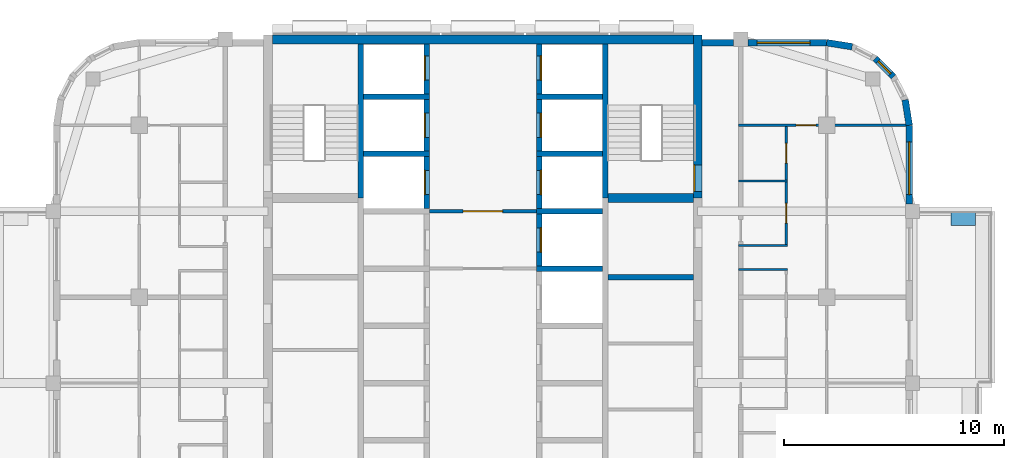
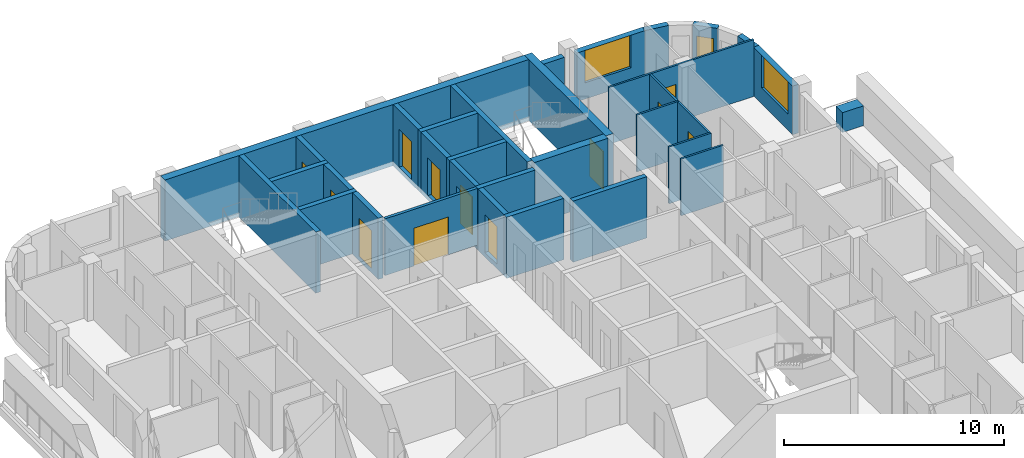
# One storey, part 8 of 13: 32 walls, 12 doors, 3 windows, 15 openings.
"""IFC4 building model written with IfcOpenShell, lengths in metres."""

from ifc_helpers import new_model, si_unit, direction, frame, frame_2d, origin, place, context, subcontext, project, spatial, rectangle, extrude, material, layer, layer_set, type_object, element, fill, save


model = new_model("IFC4")

# Units and contexts
model_context = context("Model", 3, precision=1e-05, world=origin(), true_north=direction((0.0, 1.0)))
body_context = subcontext(model_context, "Body", "Model", "MODEL_VIEW")
ifc_project = project(units=[si_unit("LENGTHUNIT", "METRE"), si_unit("AREAUNIT", "SQUARE_METRE"), si_unit("VOLUMEUNIT", "CUBIC_METRE"), si_unit("PLANEANGLEUNIT", "RADIAN"), si_unit("MASSUNIT", "GRAM", prefix="KILO")], contexts=[model_context])

# Site, building, storey
site_placement = place(None, origin())
site = spatial("IfcSite", under=ifc_project, at=site_placement, CompositionType="ELEMENT")
building_placement = place(site_placement, origin())
building = spatial("IfcBuilding", under=site, at=building_placement, Name="Ludao Terraces", CompositionType="ELEMENT")
storey_placement = place(building_placement, frame((0.0, 0.0, 249.39990234375)))
storey = spatial("IfcBuildingStorey", under=building, at=storey_placement, Name="L68", CompositionType="ELEMENT", Elevation=249.39990234375)

# Wall, opening, door
ifc_material_1 = material(Name="Concrete C50", Category="concrete")
ifc_layer_1 = layer(ifc_material_1, 0.39990234375)
ifc_layer_set_1 = layer_set([ifc_layer_1], Name="Core wall 400 C50")
wall_type_1 = type_object("IfcWallType", Name="Core wall 400 C50", PredefinedType="SOLIDWALL", material=ifc_layer_set_1)
wall_1_placement = place(storey_placement, frame((94.75, 77.300048828125, -0.25), z_axis=(0.0, 0.0, 1.0), x_axis=(0.0, 1.0, 0.0)))
wall_1 = element("IfcWall", 1, at=wall_1_placement, inside=storey, type_object=wall_type_1, Name="Core wall L68 outer-E-S2", PredefinedType="SOLIDWALL", context=body_context, shape_type="SweptSolid", body=[
    extrude(rectangle(XDim=7.39990234375, YDim=0.39990234375, at=frame_2d((3.699951171875, 0.0))), origin(), (0.0, 0.0, 1.0), 3.400146484375),
])
opening_1_placement = place(wall_1_placement, frame((0.300048828125, 0.0, 0.25)))
opening_1 = element("IfcOpeningElement", 2, at=opening_1_placement, cuts=wall_1, Name="Opening R24-078", PredefinedType="OPENING", context=body_context, shape_type="SweptSolid", body=[
    extrude(rectangle(XDim=1.199951171875, YDim=2.10009765625, at=frame_2d((0.60009765625, 1.050048828125))), frame((0.0, 0.2099609375, 0.0), z_axis=(0.0, -1.0, 0.0), x_axis=(1.0, 0.0, 0.0)), (0.0, 0.0, 1.0), 0.419921875),
])
ifc_material_2 = material(Name="Steel Q235", Category="steel")
door_type_1 = type_object("IfcDoorType", Name="INT Stair door 1200", OperationType="DOUBLE_DOOR_SINGLE_SWING", PredefinedType="DOOR", material=ifc_material_2)
door_1_placement = place(opening_1_placement, origin())
door_1 = element("IfcDoor", 3, at=door_1_placement, inside=storey, type_object=door_type_1, Name="DOOR 078", OperationType="DOUBLE_DOOR_SINGLE_SWING", OverallHeight=2.10009765625, OverallWidth=1.199951171875, PredefinedType="DOOR", context=body_context, shape_type="SweptSolid", body=[
    extrude(rectangle(XDim=1.199951171875, YDim=2.10009765625, at=frame_2d((0.60009765625, 1.050048828125))), frame((0.0, 0.18505859375, 0.0), z_axis=(0.0, -1.0, 0.0), x_axis=(1.0, 0.0, 0.0)), (0.0, 0.0, 1.0), 0.050048828125),
])
fill(opening_1, door_1)

# Walls
wall_2_placement = place(storey_placement, frame((75.449951171875, 84.5, -0.25), z_axis=(0.0, 0.0, 1.0), x_axis=(1.0, 0.0, 0.0)))
element("IfcWall", 4, at=wall_2_placement, inside=storey, type_object=wall_type_1, Name="Core wall L68 outer-N", PredefinedType="SOLIDWALL", context=body_context, shape_type="SweptSolid", body=[
    extrude(rectangle(XDim=19.10009765625, YDim=0.39990234375, at=frame_2d((9.550048828125, 0.0))), origin(), (0.0, 0.0, 1.0), 3.400146484375),
])
ifc_material_3 = material(Name="Concrete C40", Category="concrete")
ifc_layer_2 = layer(ifc_material_3, 0.60009765625)
ifc_layer_set_2 = layer_set([ifc_layer_2], Name="ENV Planter trough 600")
wall_type_2 = type_object("IfcWallType", Name="ENV Planter trough 600", PredefinedType="USERDEFINED", material=ifc_layer_set_2)
wall_3_placement = place(storey_placement, frame((107.35009765625, 76.35009765625, 0.0), z_axis=(0.0, 0.0, 1.0), x_axis=(-1.0, 0.0, 0.0)))
element("IfcWall", 5, at=wall_3_placement, inside=storey, type_object=wall_type_2, Name="PL-L68-E3-SB", ObjectType="PLANTER", PredefinedType="USERDEFINED", context=body_context, shape_type="SweptSolid", body=[
    extrude(rectangle(XDim=1.10009765625, YDim=0.60009765625, at=frame_2d((0.550048828125, 0.0))), origin(), (0.0, 0.0, 1.0), 1.10009765625),
])

# Wall, opening, window
ifc_material_4 = material(Name="Granite cladding", Category="masonry")
ifc_layer_3 = layer(ifc_material_4, 0.0400390625, Category="stone")
ifc_material_5 = material(Name="Mineral wool")
ifc_layer_4 = layer(ifc_material_5, 0.06005859375)
ifc_layer_5 = layer(ifc_material_3, 0.199951171875, Category="concrete")
ifc_layer_set_3 = layer_set([ifc_layer_3, ifc_layer_4, ifc_layer_5], Name="ENV Stone-clad wall 300")
wall_type_3 = type_object("IfcWallType", Name="ENV Stone-clad wall 300", PredefinedType="SOLIDWALL", material=ifc_layer_set_3)
wall_4_placement = place(storey_placement, frame((104.35009765625, 77.02490234375, 0.0), z_axis=(0.0, 0.0, 1.0), x_axis=(0.0, 1.0, 0.0)))
wall_4 = element("IfcWall", 6, at=wall_4_placement, inside=storey, type_object=wall_type_3, Name="EW-L68-E5", PredefinedType="SOLIDWALL", context=body_context, shape_type="SweptSolid", body=[
    extrude(rectangle(XDim=3.5751953125, YDim=0.300048828125, at=frame_2d((1.78759765625, 0.0))), origin(), (0.0, 0.0, 1.0), 2.7001953125),
])
opening_2_placement = place(wall_4_placement, frame((0.425048828125, 0.0, 0.89990234375)))
opening_2 = element("IfcOpeningElement", 7, at=opening_2_placement, cuts=wall_4, Name="Opening W1", PredefinedType="OPENING", context=body_context, shape_type="SweptSolid", body=[
    extrude(rectangle(XDim=2.39990234375, YDim=1.800048828125, at=frame_2d((1.199951171875, 0.89990234375))), frame((0.0, 0.16015625, 0.0), z_axis=(0.0, -1.0, 0.0), x_axis=(1.0, 0.0, 0.0)), (0.0, 0.0, 1.0), 0.320068359375),
])
ifc_material_6 = material(Name="Clear glass in aluminium frame", Category="aluminium")
ifc_layer_6 = layer(ifc_material_6, 0.06005859375)
ifc_layer_set_4 = layer_set([ifc_layer_6], Name="ENV Window W1 2400x1800")
window_type_1 = type_object("IfcWindowType", Name="ENV Window W1 2400x1800", PartitioningType="DOUBLE_PANEL_VERTICAL", PredefinedType="WINDOW", material=ifc_layer_set_4)
window_1_placement = place(opening_2_placement, origin())
window_1 = element("IfcWindow", 8, at=window_1_placement, inside=storey, type_object=window_type_1, Name="W-L68-E5-1", OverallHeight=1.800048828125, OverallWidth=2.39990234375, PartitioningType="DOUBLE_PANEL_VERTICAL", PredefinedType="WINDOW", context=body_context, shape_type="SweptSolid", body=[
    extrude(rectangle(XDim=2.39990234375, YDim=1.800048828125, at=frame_2d((1.199951171875, 0.89990234375))), frame((0.0, 0.030029296875, 0.0), z_axis=(0.0, -1.0, 0.0), x_axis=(1.0, 0.0, 0.0)), (0.0, 0.0, 1.0), 0.06005859375),
])
fill(opening_2, window_1)

# Wall
wall_5_placement = place(storey_placement, frame((94.949951171875, 84.35009765625, 0.0), z_axis=(0.0, 0.0, 1.0), x_axis=(1.0, 0.0, 0.0)))
element("IfcWall", 9, at=wall_5_placement, inside=storey, type_object=wall_type_3, Name="EW-L68-N3", PredefinedType="SOLIDWALL", context=body_context, shape_type="SweptSolid", body=[
    extrude(rectangle(XDim=1.425048828125, YDim=0.300048828125, at=frame_2d((0.71240234375, 0.0))), origin(), (0.0, 0.0, 1.0), 2.7001953125),
])

# Wall, opening, window
wall_6_placement = place(storey_placement, frame((97.02490234375, 84.35009765625, 0.0), z_axis=(0.0, 0.0, 1.0), x_axis=(1.0, 0.0, 0.0)))
wall_6 = element("IfcWall", 10, at=wall_6_placement, inside=storey, type_object=wall_type_3, Name="EW-L68-N4", PredefinedType="SOLIDWALL", context=body_context, shape_type="SweptSolid", body=[
    extrude(rectangle(XDim=3.5751953125, YDim=0.300048828125, at=frame_2d((1.78759765625, 0.0))), origin(), (0.0, 0.0, 1.0), 2.7001953125),
])
opening_3_placement = place(wall_6_placement, frame((0.425048828125, 0.0, 0.89990234375)))
opening_3 = element("IfcOpeningElement", 11, at=opening_3_placement, cuts=wall_6, Name="Opening W1", PredefinedType="OPENING", context=body_context, shape_type="SweptSolid", body=[
    extrude(rectangle(XDim=2.39990234375, YDim=1.800048828125, at=frame_2d((1.199951171875, 0.89990234375))), frame((0.0, 0.16015625, 0.0), z_axis=(0.0, -1.0, 0.0), x_axis=(1.0, 0.0, 0.0)), (0.0, 0.0, 1.0), 0.320068359375),
])
window_2_placement = place(opening_3_placement, origin())
window_2 = element("IfcWindow", 12, at=window_2_placement, inside=storey, type_object=window_type_1, Name="W-L68-N4-1", OverallHeight=1.800048828125, OverallWidth=2.39990234375, PartitioningType="DOUBLE_PANEL_VERTICAL", PredefinedType="WINDOW", context=body_context, shape_type="SweptSolid", body=[
    extrude(rectangle(XDim=2.39990234375, YDim=1.800048828125, at=frame_2d((1.199951171875, 0.89990234375))), frame((0.0, 0.030029296875, 0.0), z_axis=(0.0, -1.0, 0.0), x_axis=(1.0, 0.0, 0.0)), (0.0, 0.0, 1.0), 0.06005859375),
])
fill(opening_3, window_2)

# Wall
wall_7_placement = place(storey_placement, frame((104.35009765625, 80.60009765625, 0.0), z_axis=(0.0, 0.0, 1.0), x_axis=(-0.156496880861, 0.987678452879, 0.0)))
element("IfcWall", 13, at=wall_7_placement, inside=storey, type_object=wall_type_3, Name="EW-L68-NE1", PredefinedType="SOLIDWALL", context=body_context, shape_type="SweptSolid", body=[
    extrude(rectangle(XDim=1.173095703125, YDim=0.300048828125, at=frame_2d((0.58642578125, 0.0))), origin(), (0.0, 0.0, 1.0), 2.7001953125),
])

# Wall, opening, window
wall_8_placement = place(storey_placement, frame((103.6337890625, 82.80419921875, 0.0), z_axis=(0.0, 0.0, 1.0), x_axis=(-0.707106781187, 0.707106781187, 0.0)))
wall_8 = element("IfcWall", 14, at=wall_8_placement, inside=storey, type_object=wall_type_3, Name="EW-L68-NE3", PredefinedType="SOLIDWALL", context=body_context, shape_type="SweptSolid", body=[
    extrude(rectangle(XDim=1.173095703125, YDim=0.300048828125, at=frame_2d((0.58642578125, 0.0))), origin(), (0.0, 0.0, 1.0), 2.7001953125),
])
opening_4_placement = place(wall_8_placement, frame((0.1865234375, 0.0, 0.89990234375)))
opening_4 = element("IfcOpeningElement", 15, at=opening_4_placement, cuts=wall_8, Name="Opening W3", PredefinedType="OPENING", context=body_context, shape_type="SweptSolid", body=[
    extrude(rectangle(XDim=0.800048828125, YDim=1.199951171875, at=frame_2d((0.39990234375, 0.60009765625))), frame((0.0, 0.16015625, 0.0), z_axis=(0.0, -1.0, 0.0), x_axis=(1.0, 0.0, 0.0)), (0.0, 0.0, 1.0), 0.320068359375),
])
ifc_layer_7 = layer(ifc_material_6, 0.06005859375)
ifc_layer_set_5 = layer_set([ifc_layer_7], Name="ENV Window W3 800x1200")
window_type_2 = type_object("IfcWindowType", Name="ENV Window W3 800x1200", PartitioningType="SINGLE_PANEL", PredefinedType="WINDOW", material=ifc_layer_set_5)
window_3_placement = place(opening_4_placement, origin())
window_3 = element("IfcWindow", 16, at=window_3_placement, inside=storey, type_object=window_type_2, Name="W-L68-NE3", OverallHeight=1.199951171875, OverallWidth=0.800048828125, PartitioningType="SINGLE_PANEL", PredefinedType="WINDOW", context=body_context, shape_type="SweptSolid", body=[
    extrude(rectangle(XDim=0.800048828125, YDim=1.199951171875, at=frame_2d((0.39990234375, 0.60009765625))), frame((0.0, 0.030029296875, 0.0), z_axis=(0.0, -1.0, 0.0), x_axis=(1.0, 0.0, 0.0)), (0.0, 0.0, 1.0), 0.06005859375),
])
fill(opening_4, window_3)

# Wall
wall_9_placement = place(storey_placement, frame((101.7587890625, 84.16650390625, 0.0), z_axis=(0.0, 0.0, 1.0), x_axis=(-0.987678452879, 0.156496880861, 0.0)))
element("IfcWall", 17, at=wall_9_placement, inside=storey, type_object=wall_type_3, Name="EW-L68-NE5", PredefinedType="SOLIDWALL", context=body_context, shape_type="SweptSolid", body=[
    extrude(rectangle(XDim=1.173095703125, YDim=0.300048828125, at=frame_2d((0.58642578125, 0.0))), origin(), (0.0, 0.0, 1.0), 2.7001953125),
])

# Wall, opening, door
ifc_material_7 = material(Name="Fire-rated gypsum plasterboard", Category="gypsum")
ifc_layer_8 = layer(ifc_material_7, 0.012451171875, Category="gypsum")
ifc_layer_9 = layer(ifc_material_5, 0.10009765625, Name="insulation")
ifc_layer_10 = layer(ifc_material_2, 0.02490234375, Name="stud")
ifc_layer_11 = layer(ifc_material_7, 0.012451171875, Category="gypsum")
ifc_layer_set_6 = layer_set([ifc_layer_8, ifc_layer_9, ifc_layer_10, ifc_layer_11], Name="INT Core partition 150")
wall_type_4 = type_object("IfcWallType", Name="INT Core partition 150", PredefinedType="PARTITIONING", material=ifc_layer_set_6)
wall_10_placement = place(storey_placement, frame((82.5751953125, 76.699951171875, 0.0), z_axis=(0.0, 0.0, 1.0), x_axis=(1.0, 0.0, 0.0)))
wall_10 = element("IfcWall", 18, at=wall_10_placement, inside=storey, type_object=wall_type_4, Name="PW-L68-PW041", PredefinedType="PARTITIONING", context=body_context, shape_type="SweptSolid", body=[
    extrude(rectangle(XDim=4.849853515625, YDim=0.14990234375, at=frame_2d((2.4248046875, 0.0))), origin(), (0.0, 0.0, 1.0), 3.150146484375),
])
opening_5_placement = place(wall_10_placement, frame((1.52490234375, 0.0, 0.0)))
opening_5 = element("IfcOpeningElement", 19, at=opening_5_placement, cuts=wall_10, Name="Opening R24-073", PredefinedType="OPENING", context=body_context, shape_type="SweptSolid", body=[
    extrude(rectangle(XDim=1.800048828125, YDim=2.10009765625, at=frame_2d((0.89990234375, 1.050048828125))), frame((0.0, 0.0849609375, 0.0), z_axis=(0.0, -1.0, 0.0), x_axis=(1.0, 0.0, 0.0)), (0.0, 0.0, 1.0), 0.169921875),
])
door_type_2 = type_object("IfcDoorType", Name="INT Fire lobby door 1800", OperationType="DOUBLE_DOOR_SINGLE_SWING", PredefinedType="DOOR", material=ifc_material_2)
door_2_placement = place(opening_5_placement, origin())
door_2 = element("IfcDoor", 20, at=door_2_placement, inside=storey, type_object=door_type_2, Name="DOOR 073", OperationType="DOUBLE_DOOR_SINGLE_SWING", OverallHeight=2.10009765625, OverallWidth=1.800048828125, PredefinedType="DOOR", context=body_context, shape_type="SweptSolid", body=[
    extrude(rectangle(XDim=1.800048828125, YDim=2.10009765625, at=frame_2d((0.89990234375, 1.050048828125))), frame((0.0, 0.02490234375, 0.0), z_axis=(0.0, -1.0, 0.0), x_axis=(1.0, 0.0, 0.0)), (0.0, 0.0, 1.0), 0.050048828125),
])
fill(opening_5, door_2)

# Walls
ifc_material_8 = material(Name="Gypsum plasterboard", Category="gypsum")
ifc_layer_12 = layer(ifc_material_8, 0.012451171875, Category="gypsum")
ifc_layer_13 = layer(ifc_material_5, 0.06005859375, Name="insulation")
ifc_layer_14 = layer(ifc_material_2, 0.014892578125, Name="stud")
ifc_layer_15 = layer(ifc_material_8, 0.012451171875, Category="gypsum")
ifc_layer_set_7 = layer_set([ifc_layer_12, ifc_layer_13, ifc_layer_14, ifc_layer_15], Name="INT Partition 100")
wall_type_5 = type_object("IfcWallType", Name="INT Partition 100", PredefinedType="PARTITIONING", material=ifc_layer_set_7)
for number, where, z_axis, x_axis, name in (
    (21, (96.60009765625, 74.050048828125, 0.0), (0.0, 0.0, 1.0), (1.0, 0.0, 0.0), "PW-L68-PW037"),
    (22, (96.60009765625, 75.14990234375, 0.0), (0.0, 0.0, 1.0), (1.0, 0.0, 0.0), "PW-L68-PW040"),
    (23, (96.60009765625, 78.070068359375, 0.0), (0.0, 0.0, 1.0), (1.0, 0.0, 0.0), "PW-L68-PW043"),
):
    element("IfcWall", number, at=place(storey_placement, frame(where, z_axis=z_axis, x_axis=x_axis)), inside=storey, type_object=wall_type_5, Name=name, PredefinedType="PARTITIONING", context=body_context, shape_type="SweptSolid", body=[
        extrude(rectangle(XDim=2.219970703125, YDim=0.10009765625, at=frame_2d((1.10986328125, 0.0))), origin(), (0.0, 0.0, 1.0), 3.150146484375),
    ])

# Wall, opening, door
wall_11_placement = place(storey_placement, frame((96.60009765625, 80.60009765625, 0.0), z_axis=(0.0, 0.0, 1.0), x_axis=(1.0, 0.0, 0.0)))
wall_11 = element("IfcWall", 24, at=wall_11_placement, inside=storey, type_object=wall_type_5, Name="PW-L68-PW045", PredefinedType="PARTITIONING", context=body_context, shape_type="SweptSolid", body=[
    extrude(rectangle(XDim=7.60009765625, YDim=0.10009765625, at=frame_2d((3.800048828125, 0.0))), origin(), (0.0, 0.0, 1.0), 3.150146484375),
])
opening_6_placement = place(wall_11_placement, frame((2.610107421875, 0.0, 0.0)))
opening_6 = element("IfcOpeningElement", 25, at=opening_6_placement, cuts=wall_11, Name="Opening R24-084", PredefinedType="OPENING", context=body_context, shape_type="SweptSolid", body=[
    extrude(rectangle(XDim=0.89990234375, YDim=2.10009765625, at=frame_2d((0.449951171875, 1.050048828125))), frame((0.0, 0.06005859375, 0.0), z_axis=(0.0, -1.0, 0.0), x_axis=(1.0, 0.0, 0.0)), (0.0, 0.0, 1.0), 0.1201171875),
])
ifc_material_9 = material(Name="Timber door leaf", Category="wood")
door_type_3 = type_object("IfcDoorType", Name="INT Room door 900", OperationType="SINGLE_SWING_LEFT", PredefinedType="DOOR", material=ifc_material_9)
door_3_placement = place(opening_6_placement, origin())
door_3 = element("IfcDoor", 26, at=door_3_placement, inside=storey, type_object=door_type_3, Name="DOOR 084", OperationType="SINGLE_SWING_RIGHT", OverallHeight=2.10009765625, OverallWidth=0.89990234375, PredefinedType="DOOR", context=body_context, shape_type="SweptSolid", body=[
    extrude(rectangle(XDim=0.89990234375, YDim=2.10009765625, at=frame_2d((0.449951171875, 1.050048828125))), frame((0.0, 0.02490234375, 0.0), z_axis=(0.0, -1.0, 0.0), x_axis=(1.0, 0.0, 0.0)), (0.0, 0.0, 1.0), 0.050048828125),
])
fill(opening_6, door_3)

# Wall, openings, doors
wall_12_placement = place(storey_placement, frame((98.77001953125, 75.2001953125, 0.0), z_axis=(0.0, 0.0, 1.0), x_axis=(0.0, 1.0, 0.0)))
wall_12 = element("IfcWall", 27, at=wall_12_placement, inside=storey, type_object=wall_type_5, Name="PW-L68-PW060", PredefinedType="PARTITIONING", context=body_context, shape_type="SweptSolid", body=[
    extrude(rectangle(XDim=5.349853515625, YDim=0.10009765625, at=frame_2d((2.6748046875, 0.0))), origin(), (0.0, 0.0, 1.0), 3.150146484375),
])
opening_7_placement = place(wall_12_placement, frame((0.9599609375, 0.0, 0.0)))
opening_7 = element("IfcOpeningElement", 28, at=opening_7_placement, cuts=wall_12, Name="Opening R24-071", PredefinedType="OPENING", context=body_context, shape_type="SweptSolid", body=[
    extrude(rectangle(XDim=0.89990234375, YDim=2.10009765625, at=frame_2d((0.449951171875, 1.050048828125))), frame((0.0, 0.06005859375, 0.0), z_axis=(0.0, -1.0, 0.0), x_axis=(1.0, 0.0, 0.0)), (0.0, 0.0, 1.0), 0.1201171875),
])
opening_8_placement = place(wall_12_placement, frame((3.684814453125, 0.0, 0.0)))
opening_8 = element("IfcOpeningElement", 29, at=opening_8_placement, cuts=wall_12, Name="Opening R24-080", PredefinedType="OPENING", context=body_context, shape_type="SweptSolid", body=[
    extrude(rectangle(XDim=0.89990234375, YDim=2.10009765625, at=frame_2d((0.449951171875, 1.050048828125))), frame((0.0, 0.06005859375, 0.0), z_axis=(0.0, -1.0, 0.0), x_axis=(1.0, 0.0, 0.0)), (0.0, 0.0, 1.0), 0.1201171875),
])
door_type_4 = type_object("IfcDoorType", Name="INT Bathroom door 900", OperationType="SINGLE_SWING_LEFT", PredefinedType="DOOR", material=ifc_material_9)
door_4_placement = place(opening_8_placement, origin())
door_4 = element("IfcDoor", 30, at=door_4_placement, inside=storey, type_object=door_type_4, Name="DOOR 080", OperationType="SINGLE_SWING_RIGHT", OverallHeight=2.10009765625, OverallWidth=0.89990234375, PredefinedType="DOOR", context=body_context, shape_type="SweptSolid", body=[
    extrude(rectangle(XDim=0.89990234375, YDim=2.10009765625, at=frame_2d((0.449951171875, 1.050048828125))), frame((0.0, 0.02490234375, 0.0), z_axis=(0.0, -1.0, 0.0), x_axis=(1.0, 0.0, 0.0)), (0.0, 0.0, 1.0), 0.050048828125),
])
fill(opening_8, door_4)
door_5_placement = place(opening_7_placement, origin())
door_5 = element("IfcDoor", 31, at=door_5_placement, inside=storey, type_object=door_type_3, Name="DOOR 071", OperationType="SINGLE_SWING_LEFT", OverallHeight=2.10009765625, OverallWidth=0.89990234375, PredefinedType="DOOR", context=body_context, shape_type="SweptSolid", body=[
    extrude(rectangle(XDim=0.89990234375, YDim=2.10009765625, at=frame_2d((0.449951171875, 1.050048828125))), frame((0.0, 0.02490234375, 0.0), z_axis=(0.0, -1.0, 0.0), x_axis=(1.0, 0.0, 0.0)), (0.0, 0.0, 1.0), 0.050048828125),
])
fill(opening_7, door_5)

# Walls
ifc_layer_16 = layer(ifc_material_1, 0.25)
ifc_layer_set_8 = layer_set([ifc_layer_16], Name="Shaft wall 250 C50")
wall_type_6 = type_object("IfcWallType", Name="Shaft wall 250 C50", PredefinedType="SOLIDWALL", material=ifc_layer_set_8)
for number, where, z_axis, x_axis, name in (
    (32, (79.449951171875, 77.300048828125, -0.25), (0.0, 0.0, 1.0), (0.0, 1.0, 0.0), "Core wall L68 back-W-S1"),
    (33, (90.550048828125, 77.300048828125, -0.25), (0.0, 0.0, 1.0), (0.0, 1.0, 0.0), "Core wall L68 back-E-S2"),
):
    element("IfcWall", number, at=place(storey_placement, frame(where, z_axis=z_axis, x_axis=x_axis)), inside=storey, type_object=wall_type_6, Name=name, PredefinedType="SOLIDWALL", context=body_context, shape_type="SweptSolid", body=[
        extrude(rectangle(XDim=7.0, YDim=0.25, at=frame_2d((3.5, 0.0))), origin(), (0.0, 0.0, 1.0), 3.400146484375),
    ])

# Wall, opening, door
wall_13_placement = place(storey_placement, frame((82.449951171875, 76.824951171875, -0.25), z_axis=(0.0, 0.0, 1.0), x_axis=(0.0, 1.0, 0.0)))
wall_13 = element("IfcWall", 34, at=wall_13_placement, inside=storey, type_object=wall_type_6, Name="Core wall L68 front-W7", PredefinedType="SOLIDWALL", context=body_context, shape_type="SweptSolid", body=[
    extrude(rectangle(XDim=2.35009765625, YDim=0.25, at=frame_2d((1.175048828125, 0.0))), origin(), (0.0, 0.0, 1.0), 3.400146484375),
])
opening_9_placement = place(wall_13_placement, frame((0.625, 0.0, 0.25)))
opening_9 = element("IfcOpeningElement", 35, at=opening_9_placement, cuts=wall_13, Name="Opening LD-FF1", PredefinedType="OPENING", context=body_context, shape_type="SweptSolid", body=[
    extrude(rectangle(XDim=1.10009765625, YDim=2.10009765625, at=frame_2d((0.550048828125, 1.050048828125))), frame((0.0, 0.135009765625, 0.0), z_axis=(0.0, -1.0, 0.0), x_axis=(1.0, 0.0, 0.0)), (0.0, 0.0, 1.0), 0.27001953125),
])
ifc_material_10 = material(Name="Stainless steel 304", Category="steel")
door_type_5 = type_object("IfcDoorType", Name="INT Lift landing door 1100", OperationType="SLIDING_TO_LEFT", PredefinedType="DOOR", material=ifc_material_10)
door_6_placement = place(opening_9_placement, origin())
door_6 = element("IfcDoor", 36, at=door_6_placement, inside=storey, type_object=door_type_5, Name="LANDING DOOR FF1 L68", OperationType="SLIDING_TO_LEFT", OverallHeight=2.10009765625, OverallWidth=1.10009765625, PredefinedType="DOOR", context=body_context, shape_type="SweptSolid", body=[
    extrude(rectangle(XDim=1.10009765625, YDim=2.10009765625, at=frame_2d((0.550048828125, 1.050048828125))), frame((0.0, 0.10986328125, 0.0), z_axis=(0.0, -1.0, 0.0), x_axis=(1.0, 0.0, 0.0)), (0.0, 0.0, 1.0), 0.050048828125),
])
fill(opening_9, door_6)

# Wall
wall_14_placement = place(storey_placement, frame((79.574951171875, 79.300048828125, -0.25), z_axis=(0.0, 0.0, 1.0), x_axis=(1.0, 0.0, 0.0)))
element("IfcWall", 37, at=wall_14_placement, inside=storey, type_object=wall_type_6, Name="Core wall L68 div-W8", PredefinedType="SOLIDWALL", context=body_context, shape_type="SweptSolid", body=[
    extrude(rectangle(XDim=3.0, YDim=0.25, at=frame_2d((1.5, 0.0))), origin(), (0.0, 0.0, 1.0), 3.400146484375),
])

# Wall, opening, door
wall_15_placement = place(storey_placement, frame((82.449951171875, 79.425048828125, -0.25), z_axis=(0.0, 0.0, 1.0), x_axis=(0.0, 1.0, 0.0)))
wall_15 = element("IfcWall", 38, at=wall_15_placement, inside=storey, type_object=wall_type_6, Name="Core wall L68 front-W8", PredefinedType="SOLIDWALL", context=body_context, shape_type="SweptSolid", body=[
    extrude(rectangle(XDim=2.349853515625, YDim=0.25, at=frame_2d((1.1748046875, 0.0))), origin(), (0.0, 0.0, 1.0), 3.400146484375),
])
opening_10_placement = place(wall_15_placement, frame((0.625, 0.0, 0.25)))
opening_10 = element("IfcOpeningElement", 39, at=opening_10_placement, cuts=wall_15, Name="Opening LD-FF2", PredefinedType="OPENING", context=body_context, shape_type="SweptSolid", body=[
    extrude(rectangle(XDim=1.10009765625, YDim=2.10009765625, at=frame_2d((0.550048828125, 1.050048828125))), frame((0.0, 0.135009765625, 0.0), z_axis=(0.0, -1.0, 0.0), x_axis=(1.0, 0.0, 0.0)), (0.0, 0.0, 1.0), 0.27001953125),
])
door_7_placement = place(opening_10_placement, origin())
door_7 = element("IfcDoor", 40, at=door_7_placement, inside=storey, type_object=door_type_5, Name="LANDING DOOR FF2 L68", OperationType="SLIDING_TO_LEFT", OverallHeight=2.10009765625, OverallWidth=1.10009765625, PredefinedType="DOOR", context=body_context, shape_type="SweptSolid", body=[
    extrude(rectangle(XDim=1.10009765625, YDim=2.10009765625, at=frame_2d((0.550048828125, 1.050048828125))), frame((0.0, 0.10986328125, 0.0), z_axis=(0.0, -1.0, 0.0), x_axis=(1.0, 0.0, 0.0)), (0.0, 0.0, 1.0), 0.050048828125),
])
fill(opening_10, door_7)

# Wall
wall_16_placement = place(storey_placement, frame((79.574951171875, 81.89990234375, -0.25), z_axis=(0.0, 0.0, 1.0), x_axis=(1.0, 0.0, 0.0)))
element("IfcWall", 41, at=wall_16_placement, inside=storey, type_object=wall_type_6, Name="Core wall L68 div-W9", PredefinedType="SOLIDWALL", context=body_context, shape_type="SweptSolid", body=[
    extrude(rectangle(XDim=3.0, YDim=0.25, at=frame_2d((1.5, 0.0))), origin(), (0.0, 0.0, 1.0), 3.400146484375),
])

# Wall, opening, door
wall_17_placement = place(storey_placement, frame((82.449951171875, 82.02490234375, -0.25), z_axis=(0.0, 0.0, 1.0), x_axis=(0.0, 1.0, 0.0)))
wall_17 = element("IfcWall", 42, at=wall_17_placement, inside=storey, type_object=wall_type_6, Name="Core wall L68 front-W9", PredefinedType="SOLIDWALL", context=body_context, shape_type="SweptSolid", body=[
    extrude(rectangle(XDim=2.275146484375, YDim=0.25, at=frame_2d((1.1376953125, 0.0))), origin(), (0.0, 0.0, 1.0), 3.400146484375),
])
opening_11_placement = place(wall_17_placement, frame((0.625, 0.0, 0.25)))
opening_11 = element("IfcOpeningElement", 43, at=opening_11_placement, cuts=wall_17, Name="Opening LD-LB6", PredefinedType="OPENING", context=body_context, shape_type="SweptSolid", body=[
    extrude(rectangle(XDim=1.10009765625, YDim=2.10009765625, at=frame_2d((0.550048828125, 1.050048828125))), frame((0.0, 0.135009765625, 0.0), z_axis=(0.0, -1.0, 0.0), x_axis=(1.0, 0.0, 0.0)), (0.0, 0.0, 1.0), 0.27001953125),
])
door_8_placement = place(opening_11_placement, origin())
door_8 = element("IfcDoor", 44, at=door_8_placement, inside=storey, type_object=door_type_5, Name="LANDING DOOR LB6 L68", OperationType="SLIDING_TO_RIGHT", OverallHeight=2.10009765625, OverallWidth=1.10009765625, PredefinedType="DOOR", context=body_context, shape_type="SweptSolid", body=[
    extrude(rectangle(XDim=1.10009765625, YDim=2.10009765625, at=frame_2d((0.550048828125, 1.050048828125))), frame((0.0, 0.10986328125, 0.0), z_axis=(0.0, -1.0, 0.0), x_axis=(1.0, 0.0, 0.0)), (0.0, 0.0, 1.0), 0.050048828125),
])
fill(opening_11, door_8)

# Wall
wall_18_placement = place(storey_placement, frame((87.425048828125, 74.10009765625, -0.25), z_axis=(0.0, 0.0, 1.0), x_axis=(1.0, 0.0, 0.0)))
element("IfcWall", 45, at=wall_18_placement, inside=storey, type_object=wall_type_6, Name="Core wall L68 div-E6", PredefinedType="SOLIDWALL", context=body_context, shape_type="SweptSolid", body=[
    extrude(rectangle(XDim=3.0, YDim=0.25, at=frame_2d((1.5, 0.0))), origin(), (0.0, 0.0, 1.0), 3.400146484375),
])

# Wall, opening, door
wall_19_placement = place(storey_placement, frame((87.550048828125, 74.22509765625, -0.25), z_axis=(0.0, 0.0, 1.0), x_axis=(0.0, 1.0, 0.0)))
wall_19 = element("IfcWall", 46, at=wall_19_placement, inside=storey, type_object=wall_type_6, Name="Core wall L68 front-E6", PredefinedType="SOLIDWALL", context=body_context, shape_type="SweptSolid", body=[
    extrude(rectangle(XDim=2.349853515625, YDim=0.25, at=frame_2d((1.1748046875, 0.0))), origin(), (0.0, 0.0, 1.0), 3.400146484375),
])
opening_12_placement = place(wall_19_placement, frame((0.625, 0.0, 0.25)))
opening_12 = element("IfcOpeningElement", 47, at=opening_12_placement, cuts=wall_19, Name="Opening LD-LB2", PredefinedType="OPENING", context=body_context, shape_type="SweptSolid", body=[
    extrude(rectangle(XDim=1.10009765625, YDim=2.10009765625, at=frame_2d((0.550048828125, 1.050048828125))), frame((0.0, 0.135009765625, 0.0), z_axis=(0.0, -1.0, 0.0), x_axis=(1.0, 0.0, 0.0)), (0.0, 0.0, 1.0), 0.27001953125),
])
door_9_placement = place(opening_12_placement, origin())
door_9 = element("IfcDoor", 48, at=door_9_placement, inside=storey, type_object=door_type_5, Name="LANDING DOOR LB2 L68", OperationType="SLIDING_TO_LEFT", OverallHeight=2.10009765625, OverallWidth=1.10009765625, PredefinedType="DOOR", context=body_context, shape_type="SweptSolid", body=[
    extrude(rectangle(XDim=1.10009765625, YDim=2.10009765625, at=frame_2d((0.550048828125, 1.050048828125))), frame((0.0, -0.06005859375, 0.0), z_axis=(0.0, -1.0, 0.0), x_axis=(1.0, 0.0, 0.0)), (0.0, 0.0, 1.0), 0.050048828125),
])
fill(opening_12, door_9)

# Wall
wall_20_placement = place(storey_placement, frame((87.425048828125, 76.699951171875, -0.25), z_axis=(0.0, 0.0, 1.0), x_axis=(1.0, 0.0, 0.0)))
element("IfcWall", 49, at=wall_20_placement, inside=storey, type_object=wall_type_6, Name="Core wall L68 div-E7", PredefinedType="SOLIDWALL", context=body_context, shape_type="SweptSolid", body=[
    extrude(rectangle(XDim=3.0, YDim=0.25, at=frame_2d((1.5, 0.0))), origin(), (0.0, 0.0, 1.0), 3.400146484375),
])

# Wall, opening, door
wall_21_placement = place(storey_placement, frame((87.550048828125, 76.824951171875, -0.25), z_axis=(0.0, 0.0, 1.0), x_axis=(0.0, 1.0, 0.0)))
wall_21 = element("IfcWall", 50, at=wall_21_placement, inside=storey, type_object=wall_type_6, Name="Core wall L68 front-E7", PredefinedType="SOLIDWALL", context=body_context, shape_type="SweptSolid", body=[
    extrude(rectangle(XDim=2.35009765625, YDim=0.25, at=frame_2d((1.175048828125, 0.0))), origin(), (0.0, 0.0, 1.0), 3.400146484375),
])
opening_13_placement = place(wall_21_placement, frame((0.625, 0.0, 0.25)))
opening_13 = element("IfcOpeningElement", 51, at=opening_13_placement, cuts=wall_21, Name="Opening LD-LB3", PredefinedType="OPENING", context=body_context, shape_type="SweptSolid", body=[
    extrude(rectangle(XDim=1.10009765625, YDim=2.10009765625, at=frame_2d((0.550048828125, 1.050048828125))), frame((0.0, 0.135009765625, 0.0), z_axis=(0.0, -1.0, 0.0), x_axis=(1.0, 0.0, 0.0)), (0.0, 0.0, 1.0), 0.27001953125),
])
door_10_placement = place(opening_13_placement, origin())
door_10 = element("IfcDoor", 52, at=door_10_placement, inside=storey, type_object=door_type_5, Name="LANDING DOOR LB3 L68", OperationType="SLIDING_TO_LEFT", OverallHeight=2.10009765625, OverallWidth=1.10009765625, PredefinedType="DOOR", context=body_context, shape_type="SweptSolid", body=[
    extrude(rectangle(XDim=1.10009765625, YDim=2.10009765625, at=frame_2d((0.550048828125, 1.050048828125))), frame((0.0, -0.06005859375, 0.0), z_axis=(0.0, -1.0, 0.0), x_axis=(1.0, 0.0, 0.0)), (0.0, 0.0, 1.0), 0.050048828125),
])
fill(opening_13, door_10)

# Wall
wall_22_placement = place(storey_placement, frame((87.425048828125, 79.300048828125, -0.25), z_axis=(0.0, 0.0, 1.0), x_axis=(1.0, 0.0, 0.0)))
element("IfcWall", 53, at=wall_22_placement, inside=storey, type_object=wall_type_6, Name="Core wall L68 div-E8", PredefinedType="SOLIDWALL", context=body_context, shape_type="SweptSolid", body=[
    extrude(rectangle(XDim=3.0, YDim=0.25, at=frame_2d((1.5, 0.0))), origin(), (0.0, 0.0, 1.0), 3.400146484375),
])

# Wall, opening, door
wall_23_placement = place(storey_placement, frame((87.550048828125, 79.425048828125, -0.25), z_axis=(0.0, 0.0, 1.0), x_axis=(0.0, 1.0, 0.0)))
wall_23 = element("IfcWall", 54, at=wall_23_placement, inside=storey, type_object=wall_type_6, Name="Core wall L68 front-E8", PredefinedType="SOLIDWALL", context=body_context, shape_type="SweptSolid", body=[
    extrude(rectangle(XDim=2.349853515625, YDim=0.25, at=frame_2d((1.1748046875, 0.0))), origin(), (0.0, 0.0, 1.0), 3.400146484375),
])
opening_14_placement = place(wall_23_placement, frame((0.625, 0.0, 0.25)))
opening_14 = element("IfcOpeningElement", 55, at=opening_14_placement, cuts=wall_23, Name="Opening LD-LB4", PredefinedType="OPENING", context=body_context, shape_type="SweptSolid", body=[
    extrude(rectangle(XDim=1.10009765625, YDim=2.10009765625, at=frame_2d((0.550048828125, 1.050048828125))), frame((0.0, 0.135009765625, 0.0), z_axis=(0.0, -1.0, 0.0), x_axis=(1.0, 0.0, 0.0)), (0.0, 0.0, 1.0), 0.27001953125),
])
door_11_placement = place(opening_14_placement, origin())
door_11 = element("IfcDoor", 56, at=door_11_placement, inside=storey, type_object=door_type_5, Name="LANDING DOOR LB4 L68", OperationType="SLIDING_TO_RIGHT", OverallHeight=2.10009765625, OverallWidth=1.10009765625, PredefinedType="DOOR", context=body_context, shape_type="SweptSolid", body=[
    extrude(rectangle(XDim=1.10009765625, YDim=2.10009765625, at=frame_2d((0.550048828125, 1.050048828125))), frame((0.0, -0.06005859375, 0.0), z_axis=(0.0, -1.0, 0.0), x_axis=(1.0, 0.0, 0.0)), (0.0, 0.0, 1.0), 0.050048828125),
])
fill(opening_14, door_11)

# Wall
wall_24_placement = place(storey_placement, frame((87.425048828125, 81.89990234375, -0.25), z_axis=(0.0, 0.0, 1.0), x_axis=(1.0, 0.0, 0.0)))
element("IfcWall", 57, at=wall_24_placement, inside=storey, type_object=wall_type_6, Name="Core wall L68 div-E9", PredefinedType="SOLIDWALL", context=body_context, shape_type="SweptSolid", body=[
    extrude(rectangle(XDim=3.0, YDim=0.25, at=frame_2d((1.5, 0.0))), origin(), (0.0, 0.0, 1.0), 3.400146484375),
])

# Wall, opening, door
wall_25_placement = place(storey_placement, frame((87.550048828125, 82.02490234375, -0.25), z_axis=(0.0, 0.0, 1.0), x_axis=(0.0, 1.0, 0.0)))
wall_25 = element("IfcWall", 58, at=wall_25_placement, inside=storey, type_object=wall_type_6, Name="Core wall L68 front-E9", PredefinedType="SOLIDWALL", context=body_context, shape_type="SweptSolid", body=[
    extrude(rectangle(XDim=2.275146484375, YDim=0.25, at=frame_2d((1.1376953125, 0.0))), origin(), (0.0, 0.0, 1.0), 3.400146484375),
])
opening_15_placement = place(wall_25_placement, frame((0.625, 0.0, 0.25)))
opening_15 = element("IfcOpeningElement", 59, at=opening_15_placement, cuts=wall_25, Name="Opening LD-LB5", PredefinedType="OPENING", context=body_context, shape_type="SweptSolid", body=[
    extrude(rectangle(XDim=1.10009765625, YDim=2.10009765625, at=frame_2d((0.550048828125, 1.050048828125))), frame((0.0, 0.135009765625, 0.0), z_axis=(0.0, -1.0, 0.0), x_axis=(1.0, 0.0, 0.0)), (0.0, 0.0, 1.0), 0.27001953125),
])
door_12_placement = place(opening_15_placement, origin())
door_12 = element("IfcDoor", 60, at=door_12_placement, inside=storey, type_object=door_type_5, Name="LANDING DOOR LB5 L68", OperationType="SLIDING_TO_RIGHT", OverallHeight=2.10009765625, OverallWidth=1.10009765625, PredefinedType="DOOR", context=body_context, shape_type="SweptSolid", body=[
    extrude(rectangle(XDim=1.10009765625, YDim=2.10009765625, at=frame_2d((0.550048828125, 1.050048828125))), frame((0.0, -0.06005859375, 0.0), z_axis=(0.0, -1.0, 0.0), x_axis=(1.0, 0.0, 0.0)), (0.0, 0.0, 1.0), 0.050048828125),
])
fill(opening_15, door_12)

# Walls
wall_26_placement = place(storey_placement, frame((90.675048828125, 73.699951171875, -0.25), z_axis=(0.0, 0.0, 1.0), x_axis=(1.0, 0.0, 0.0)))
element("IfcWall", 61, at=wall_26_placement, inside=storey, type_object=wall_type_6, Name="Core wall L68 riser-b-E", PredefinedType="SOLIDWALL", context=body_context, shape_type="SweptSolid", body=[
    extrude(rectangle(XDim=3.875, YDim=0.25, at=frame_2d((1.9375, 0.0))), origin(), (0.0, 0.0, 1.0), 3.400146484375),
])
ifc_layer_17 = layer(ifc_material_1, 0.39990234375)
ifc_layer_set_9 = layer_set([ifc_layer_17], Name="Shaft wall 400 C50")
wall_type_7 = type_object("IfcWallType", Name="Shaft wall 400 C50", PredefinedType="SOLIDWALL", material=ifc_layer_set_9)
wall_27_placement = place(storey_placement, frame((90.675048828125, 77.300048828125, -0.25), z_axis=(0.0, 0.0, 1.0), x_axis=(1.0, 0.0, 0.0)))
element("IfcWall", 62, at=wall_27_placement, inside=storey, type_object=wall_type_7, Name="Core wall L68 stair-E", PredefinedType="SOLIDWALL", context=body_context, shape_type="SweptSolid", body=[
    extrude(rectangle(XDim=3.875, YDim=0.39990234375, at=frame_2d((1.9375, 0.0))), origin(), (0.0, 0.0, 1.0), 3.400146484375),
])

save(model, "model.ifc")
